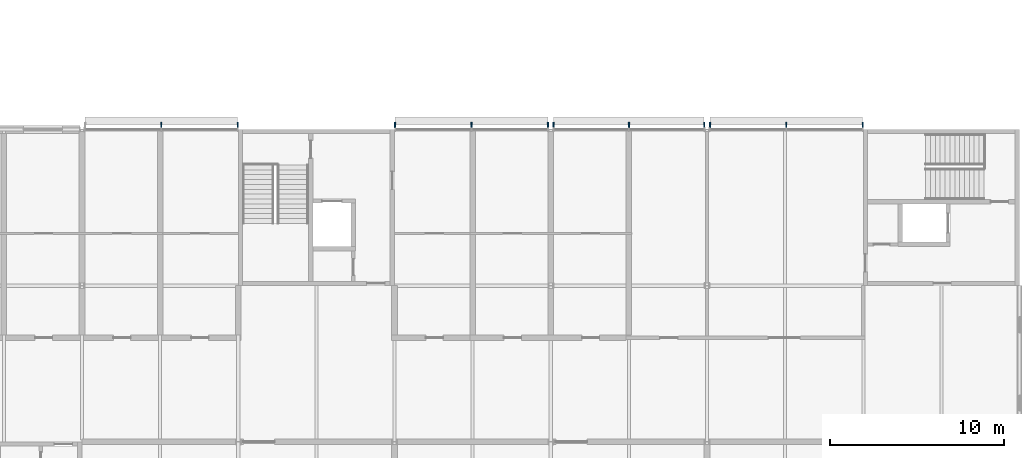
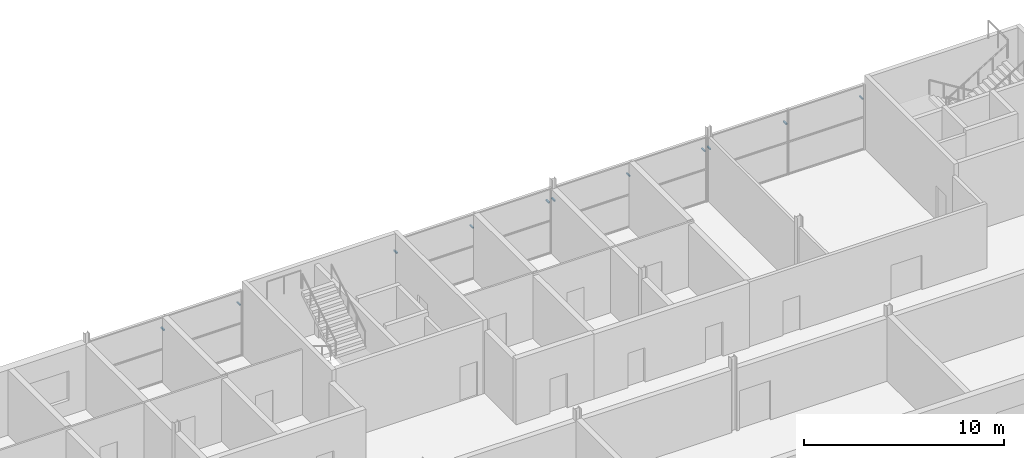
# One storey, part 92 of 97: 11 discrete accessories.
"""IFC4 building model written with IfcOpenShell, lengths in metres."""

from ifc_helpers import new_model, si_unit, direction, frame, origin, origin_2d, place, context, subcontext, project, spatial, rectangle, extrude, material, type_object, element, save


model = new_model("IFC4")

# Units and contexts
model_context = context("Model", 3, precision=1e-05, world=origin(), true_north=direction((0.0, 1.0)))
body_context = subcontext(model_context, "Body", "Model", "MODEL_VIEW")
ifc_project = project(units=[si_unit("LENGTHUNIT", "METRE"), si_unit("AREAUNIT", "SQUARE_METRE"), si_unit("VOLUMEUNIT", "CUBIC_METRE"), si_unit("PLANEANGLEUNIT", "RADIAN"), si_unit("MASSUNIT", "GRAM", prefix="KILO")], contexts=[model_context])

# Site, building, storey
site_placement = place(None, origin())
site = spatial("IfcSite", under=ifc_project, at=site_placement, CompositionType="ELEMENT")
building_placement = place(site_placement, origin())
building = spatial("IfcBuilding", under=site, at=building_placement, Name="Corbel Yard City Hall", CompositionType="ELEMENT")
storey_placement = place(building_placement, frame((0.0, 0.0, 6.0)))
storey = spatial("IfcBuildingStorey", under=building, at=storey_placement, Name="L01", CompositionType="ELEMENT", Elevation=6.0)

# Discrete accessories
ifc_material = material(Name="Steel Grade 300 (300 MPa yield)", Category="steel")
discrete_accessory_type = type_object("IfcDiscreteAccessoryType", Name="BK2", PredefinedType="BRACKET", material=ifc_material)
for number, where, z_axis, x_axis, name in (
    (1, (130.56494140625, 117.25, 2.953125), (0.0, 0.0, 1.0), (1.0, 0.0, 0.0), "Louvre bracket"),
    (2, (134.967529296875, 117.25, 2.953125), (0.0, 0.0, 1.0), (1.0, 0.0, 0.0), "Louvre bracket"),
    (3, (144.032470703125, 117.25, 2.953125), (0.0, 0.0, 1.0), (1.0, 0.0, 0.0), "Louvre bracket"),
    (4, (148.43505859375, 117.25, 2.953125), (0.0, 0.0, 1.0), (1.0, 0.0, 0.0), "Louvre bracket"),
    (5, (152.83740234375, 117.25, 2.953125), (0.0, 0.0, 1.0), (1.0, 0.0, 0.0), "Louvre bracket"),
    (6, (153.16259765625, 117.25, 2.953125), (0.0, 0.0, 1.0), (1.0, 0.0, 0.0), "Louvre bracket"),
    (7, (157.5, 117.25, 2.953125), (0.0, 0.0, 1.0), (1.0, 0.0, 0.0), "Louvre bracket"),
    (8, (161.83740234375, 117.25, 2.953125), (0.0, 0.0, 1.0), (1.0, 0.0, 0.0), "Louvre bracket"),
    (9, (162.16259765625, 117.25, 2.953125), (0.0, 0.0, 1.0), (1.0, 0.0, 0.0), "Louvre bracket"),
    (10, (166.56494140625, 117.25, 2.953125), (0.0, 0.0, 1.0), (1.0, 0.0, 0.0), "Louvre bracket"),
    (11, (170.967529296875, 117.25, 2.953125), (0.0, 0.0, 1.0), (1.0, 0.0, 0.0), "Louvre bracket"),
):
    element("IfcDiscreteAccessory", number, at=place(storey_placement, frame(where, z_axis=z_axis, x_axis=x_axis)), inside=storey, type_object=discrete_accessory_type, Name=name, PredefinedType="BRACKET", context=body_context, shape_type="SweptSolid", body=[
        extrude(rectangle(XDim=0.080078125, YDim=0.300048828125, at=origin_2d()), origin(), (0.0, 0.0, 1.0), 0.080078125),
    ])

save(model, "model.ifc")
